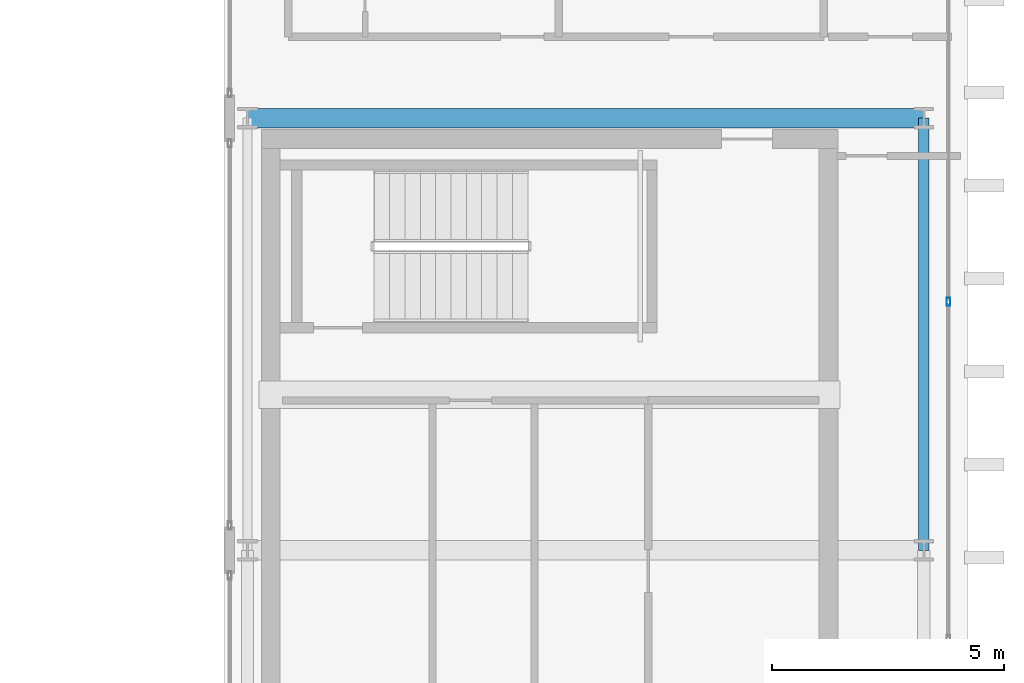
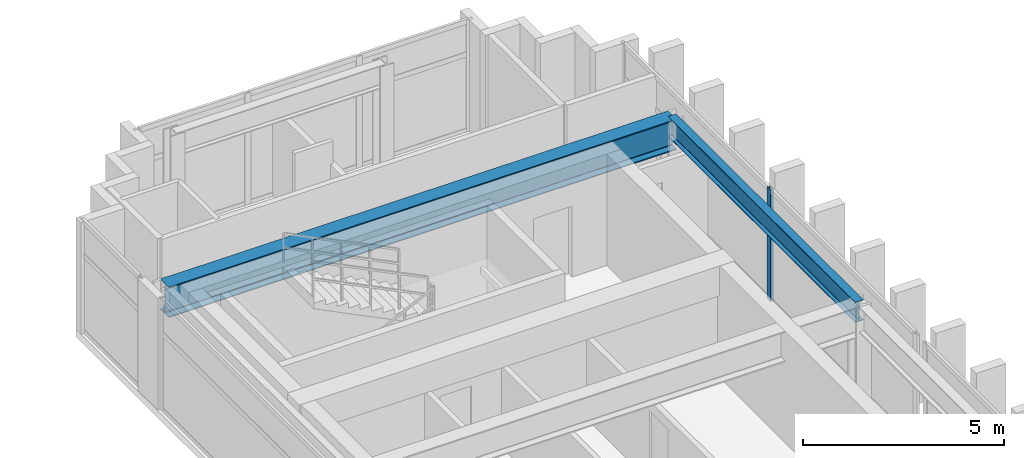
# One storey, part 14 of 25: 2 beams, 1 member, 1 element without a shape of its own.
"""IFC4 building model written with IfcOpenShell, lengths in metres."""

from ifc_helpers import new_model, si_unit, direction, frame, origin, origin_2d, place, context, subcontext, project, spatial, hollow_rectangle, i_section, extrude, source, transform, mapped, material, layer, layer_set, material_profile, profile_set, type_object, element, aggregate, save


model = new_model("IFC4")

# Units and contexts
model_context = context("Model", 3, precision=1e-05, world=origin(), true_north=direction((0.0, 1.0)))
body_context = subcontext(model_context, "Body", "Model", "MODEL_VIEW")
ifc_project = project(units=[si_unit("LENGTHUNIT", "METRE"), si_unit("AREAUNIT", "SQUARE_METRE"), si_unit("VOLUMEUNIT", "CUBIC_METRE"), si_unit("PLANEANGLEUNIT", "RADIAN"), si_unit("MASSUNIT", "GRAM", prefix="KILO")], contexts=[model_context])

# Site, building, storey
site_placement = place(None, origin())
site = spatial("IfcSite", under=ifc_project, at=site_placement, CompositionType="ELEMENT")
building_placement = place(site_placement, origin())
building = spatial("IfcBuilding", under=site, at=building_placement, Name="Ocotamira Hotel", CompositionType="ELEMENT")
storey_placement = place(building_placement, frame((0.0, 0.0, 254.39990234375)))
storey = spatial("IfcBuildingStorey", under=building, at=storey_placement, Name="L64", CompositionType="ELEMENT", Elevation=254.39990234375)

# Beams
ifc_material_1 = material(Name="Steel ASTM A992 Grade 50", Category="steel")
ifc_material_profile_1 = material_profile(ifc_material_1, i_section(OverallWidth=0.41796875, OverallDepth=0.927001953125, WebThickness=0.019287109375, FlangeThickness=0.031982421875, FilletRadius=0.02392578125, at=origin_2d()), Name="W36X231")
ifc_profile_set_1 = profile_set([ifc_material_profile_1], Name="Steel ASTM A992 Grade 50")
beam_type_1 = type_object("IfcBeamType", Name="BM-GIRD-W36X231", PredefinedType="BEAM", material=ifc_profile_set_1)
shared_shape_1 = source(origin(), body_context, "Body", "SweptSolid", [
    extrude(i_section(OverallWidth=0.41796875, OverallDepth=0.927001953125, WebThickness=0.019287109375, FlangeThickness=0.031982421875, FilletRadius=0.02392578125, at=origin_2d()), origin(), (0.0, 0.0, 1.0), 14.550048828125),
])
beam_1_placement = place(storey_placement, frame((40.5, 37.449951171875, 2.91650390625), z_axis=(1.0, 0.0, 0.0), x_axis=(0.0, 1.0, 0.0)))
element("IfcBeam", 1, at=beam_1_placement, inside=storey, type_object=beam_type_1, Name="L64 Girder Y37.45 X40.5-55.05", PredefinedType="BEAM", context=body_context, shape_type="MappedRepresentation", body=[
    mapped(shared_shape_1, transform((0.0, 0.0, 0.0), scale=1.0)),
])
ifc_material_profile_2 = material_profile(ifc_material_1, i_section(OverallWidth=0.22998046875, OverallDepth=0.616943359375, WebThickness=0.01318359375, FlangeThickness=0.022216796875, FilletRadius=0.012939453125, at=origin_2d()), Name="W24X94")
ifc_profile_set_2 = profile_set([ifc_material_profile_2], Name="Steel ASTM A992 Grade 50")
beam_type_2 = type_object("IfcBeamType", Name="BM-PRIM-W24X94", PredefinedType="BEAM", material=ifc_profile_set_2)
shared_shape_2 = source(origin(), body_context, "Body", "SweptSolid", [
    extrude(i_section(OverallWidth=0.22998046875, OverallDepth=0.616943359375, WebThickness=0.01318359375, FlangeThickness=0.022216796875, FilletRadius=0.012939453125, at=origin_2d()), origin(), (0.0, 0.0, 1.0), 9.300048828125),
])
beam_2_placement = place(storey_placement, frame((55.050048828125, 28.14990234375, 3.071533203125), z_axis=(0.0, 1.0, 0.0), x_axis=(-1.0, 0.0, 0.0)))
element("IfcBeam", 2, at=beam_2_placement, inside=storey, type_object=beam_type_2, Name="L64 Beam X55.05 Y28.15-37.45", PredefinedType="BEAM", context=body_context, shape_type="MappedRepresentation", body=[
    mapped(shared_shape_2, transform((0.0, 0.0, 0.0), scale=1.0)),
])

# Curtain wall, member
ifc_material_2 = material(Name="Anodised pale-metal aluminium and solar glass", Category="aluminium")
ifc_layer = layer(ifc_material_2, 0.2099609375)
ifc_layer_set = layer_set([ifc_layer], Name="Anodised pale-metal aluminium and solar glass")
curtain_wall_type = type_object("IfcCurtainWallType", Name="CW-SYS7-PEAK", PredefinedType="NOTDEFINED", material=ifc_layer_set)
curtain_wall_placement = place(storey_placement, origin())
curtain_wall = element("IfcCurtainWall", 3, at=curtain_wall_placement, inside=storey, type_object=curtain_wall_type, Name="L64 Curtain Wall CW-7 CW-L64-EO2", PredefinedType="NOTDEFINED")
ifc_material_3 = material(Name="Anodised pale-metal aluminium 6063-T6", Category="aluminium")
ifc_material_profile_3 = material_profile(ifc_material_3, hollow_rectangle(XDim=0.080078125, YDim=0.179931640625, WallThickness=0.006103515625, at=origin_2d()), Name="HSS180X80X6")
ifc_profile_set_3 = profile_set([ifc_material_profile_3], Name="Anodised pale-metal aluminium 6063-T6")
member_type = type_object("IfcMemberType", Name="CWM-180X75", PredefinedType="MULLION", material=ifc_profile_set_3)
shared_shape_3 = source(origin(), body_context, "Body", "SweptSolid", [
    extrude(hollow_rectangle(XDim=0.080078125, YDim=0.179931640625, WallThickness=0.006103515625, at=origin_2d()), origin(), (0.0, 0.0, 1.0), 3.380126953125),
])
member_placement = place(storey_placement, frame((55.580078125, 33.5, 0.0), z_axis=(0.0, 0.0, 1.0), x_axis=(-1.0, 0.0, 0.0)))
member = element("IfcMember", 4, at=member_placement, type_object=member_type, Name="CW-7 mullion 2", PredefinedType="MULLION", context=body_context, shape_type="MappedRepresentation", body=[
    mapped(shared_shape_3, transform((0.0, 0.0, 0.0), scale=1.0)),
])
aggregate(curtain_wall, [member])

save(model, "model.ifc")
